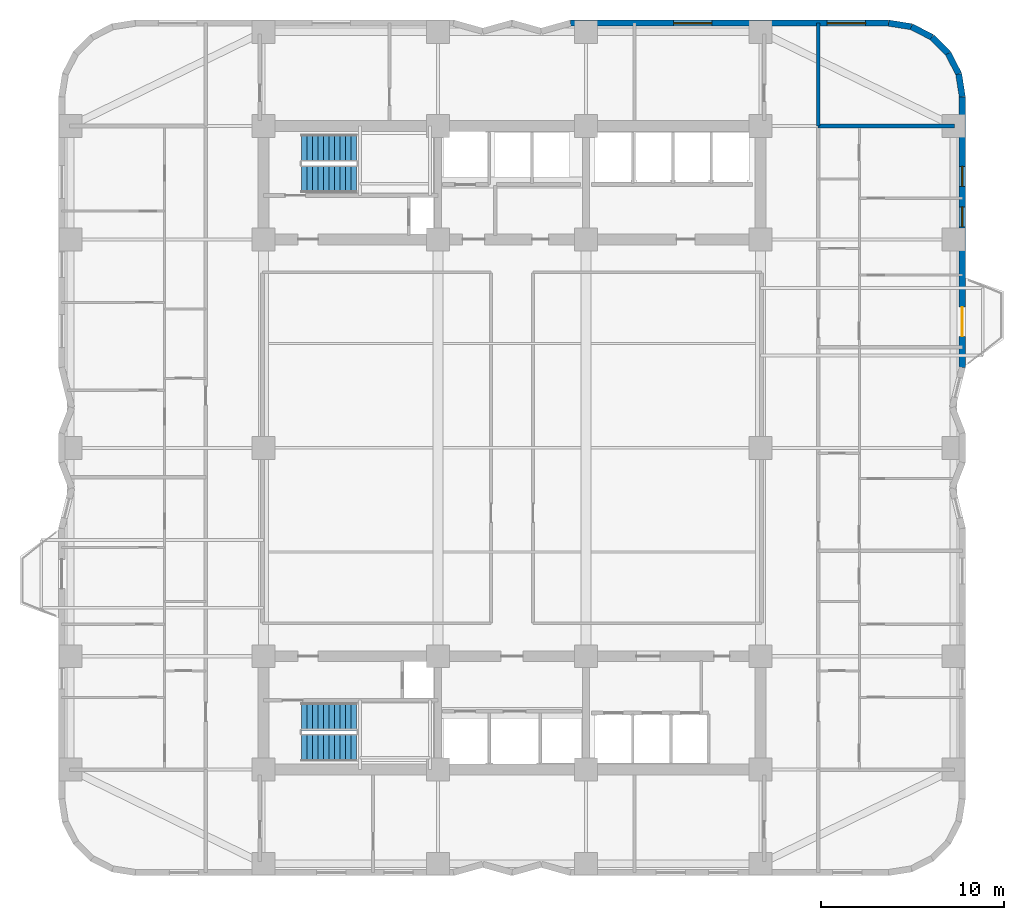
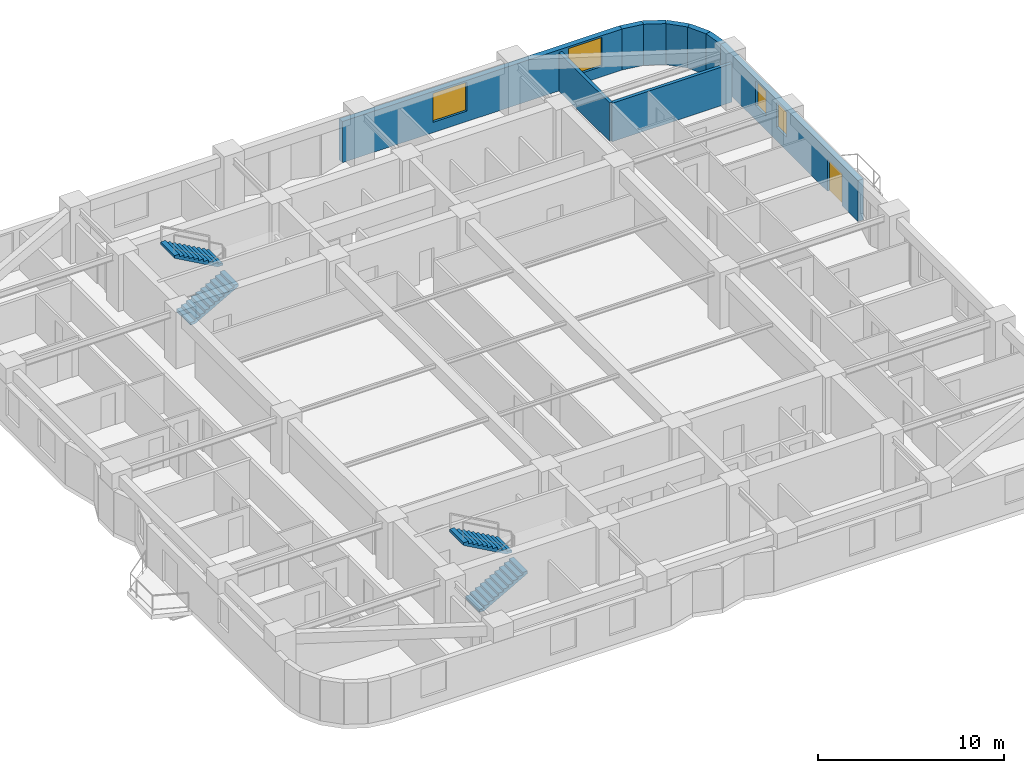
# One storey, part 7 of 9: 9 walls, 4 stair flights, 4 windows, 1 door, 5 openings, 2 elements without a shape of their own.
"""IFC4 building model written with IfcOpenShell, lengths in metres."""

from ifc_helpers import new_model, si_unit, direction, frame, frame_2d, origin, place, context, subcontext, project, spatial, polyline, rectangle, outline, extrude, material, layer, layer_set, type_object, element, fill, aggregate, save


model = new_model("IFC4")

# Units and contexts
model_context = context("Model", 3, precision=1e-05, world=origin(), true_north=direction((0.0, 1.0)))
body_context = subcontext(model_context, "Body", "Model", "MODEL_VIEW")
ifc_project = project(units=[si_unit("LENGTHUNIT", "METRE"), si_unit("AREAUNIT", "SQUARE_METRE"), si_unit("VOLUMEUNIT", "CUBIC_METRE"), si_unit("PLANEANGLEUNIT", "RADIAN"), si_unit("MASSUNIT", "GRAM", prefix="KILO")], contexts=[model_context])

# Site, building, storey
site_placement = place(None, origin())
site = spatial("IfcSite", under=ifc_project, at=site_placement, CompositionType="ELEMENT")
building_placement = place(site_placement, origin())
building = spatial("IfcBuilding", under=site, at=building_placement, Name="Svetorya Sky Lyceum", CompositionType="ELEMENT")
storey_placement = place(building_placement, frame((0.0, 0.0, 28.800048828125)))
storey = spatial("IfcBuildingStorey", under=building, at=storey_placement, Name="L06", CompositionType="ELEMENT", Elevation=28.800048828125)

# Wall, openings, door, windows
ifc_material_1 = material(Name="Putilovo limestone rainscreen on autoclaved cellular masonry", Category="masonry")
ifc_layer_1 = layer(ifc_material_1, 0.340087890625)
ifc_layer_set_1 = layer_set([ifc_layer_1], Name="Putilovo limestone rainscreen on autoclaved cellular masonry")
wall_type_1 = type_object("IfcWallType", Name="WL-EXT-340", PredefinedType="SOLIDWALL", material=ifc_layer_set_1)
wall_1_placement = place(storey_placement, frame((63.830078125, 32.60009765625, 0.0), z_axis=(0.0, 0.0, 1.0), x_axis=(0.0, 1.0, 0.0)))
wall_1 = element("IfcWall", 1, at=wall_1_placement, inside=storey, type_object=wall_type_1, Name="L06 Limestone Exterior Wall 23M", PredefinedType="SOLIDWALL", context=body_context, shape_type="SweptSolid", body=[
    extrude(rectangle(XDim=14.7998046875, YDim=0.340087890625, at=frame_2d((7.39990234375, 0.0))), origin(), (0.0, 0.0, 1.0), 2.699951171875),
])
opening_1_placement = place(wall_1_placement, frame((1.699951171875, 0.0, 0.0)))
opening_1 = element("IfcOpeningElement", 2, at=opening_1_placement, cuts=wall_1, Name="Opening D-BL1", PredefinedType="OPENING", context=body_context, shape_type="SweptSolid", body=[
    extrude(rectangle(XDim=1.60009765625, YDim=2.10009765625, at=frame_2d((0.800048828125, 1.050048828125))), frame((0.0, 0.179931640625, 0.0), z_axis=(0.0, -1.0, 0.0), x_axis=(1.0, 0.0, 0.0)), (0.0, 0.0, 1.0), 0.360107421875),
])
opening_2_placement = place(wall_1_placement, frame((7.679931640625, 0.0, 0.889892578125)))
opening_2 = element("IfcOpeningElement", 3, at=opening_2_placement, cuts=wall_1, Name="Opening W-R3", PredefinedType="OPENING", context=body_context, shape_type="SweptSolid", body=[
    extrude(rectangle(XDim=1.10009765625, YDim=1.64990234375, at=frame_2d((0.550048828125, 0.824951171875))), frame((0.0, 0.179931640625, 0.0), z_axis=(0.0, -1.0, 0.0), x_axis=(1.0, 0.0, 0.0)), (0.0, 0.0, 1.0), 0.360107421875),
])
opening_3_placement = place(wall_1_placement, frame((9.89990234375, 0.0, 0.929931640625)))
opening_3 = element("IfcOpeningElement", 4, at=opening_3_placement, cuts=wall_1, Name="Opening W-R3", PredefinedType="OPENING", context=body_context, shape_type="SweptSolid", body=[
    extrude(rectangle(XDim=1.10009765625, YDim=1.64990234375, at=frame_2d((0.550048828125, 0.824951171875))), frame((0.0, 0.179931640625, 0.0), z_axis=(0.0, -1.0, 0.0), x_axis=(1.0, 0.0, 0.0)), (0.0, 0.0, 1.0), 0.360107421875),
])
ifc_material_2 = material(Name="Insulated glazed aluminium balcony door", Category="aluminium")
door_type = type_object("IfcDoorType", Name="DR-BAL-1600", OperationType="DOUBLE_DOOR_SINGLE_SWING", PredefinedType="DOOR", material=ifc_material_2)
door_placement = place(opening_1_placement, origin())
door = element("IfcDoor", 5, at=door_placement, inside=storey, type_object=door_type, Name="L06 Balcony BAL-E1 Door", OperationType="DOUBLE_DOOR_SINGLE_SWING", OverallHeight=2.10009765625, OverallWidth=1.60009765625, PredefinedType="DOOR", context=body_context, shape_type="SweptSolid", body=[
    extrude(rectangle(XDim=1.60009765625, YDim=2.10009765625, at=frame_2d((0.800048828125, 1.050048828125))), frame((0.0, 0.02490234375, 0.0), z_axis=(0.0, -1.0, 0.0), x_axis=(1.0, 0.0, 0.0)), (0.0, 0.0, 1.0), 0.050048828125),
])
fill(opening_1, door)
ifc_material_3 = material(Name="Thermally broken aluminium frame with triple low-E glazing", Category="aluminium")
window_type_1 = type_object("IfcWindowType", Name="WN-RES-110", PartitioningType="SINGLE_PANEL", PredefinedType="WINDOW", material=ifc_material_3)
window_1_placement = place(opening_2_placement, origin())
window_1 = element("IfcWindow", 6, at=window_1_placement, inside=storey, type_object=window_type_1, Name="L06 Facade Window W-R3.23M.2", OverallHeight=1.64990234375, OverallWidth=1.10009765625, PartitioningType="SINGLE_PANEL", PredefinedType="WINDOW", context=body_context, shape_type="SweptSolid", body=[
    extrude(rectangle(XDim=1.10009765625, YDim=1.64990234375, at=frame_2d((0.550048828125, 0.824951171875))), frame((0.0, 0.030029296875, 0.0), z_axis=(0.0, -1.0, 0.0), x_axis=(1.0, 0.0, 0.0)), (0.0, 0.0, 1.0), 0.06005859375),
])
fill(opening_2, window_1)
window_2_placement = place(opening_3_placement, origin())
window_2 = element("IfcWindow", 7, at=window_2_placement, inside=storey, type_object=window_type_1, Name="L06 Facade Window W-R3.23M.1", OverallHeight=1.64990234375, OverallWidth=1.10009765625, PartitioningType="SINGLE_PANEL", PredefinedType="WINDOW", context=body_context, shape_type="SweptSolid", body=[
    extrude(rectangle(XDim=1.10009765625, YDim=1.64990234375, at=frame_2d((0.550048828125, 0.824951171875))), frame((0.0, 0.030029296875, 0.0), z_axis=(0.0, -1.0, 0.0), x_axis=(1.0, 0.0, 0.0)), (0.0, 0.0, 1.0), 0.06005859375),
])
fill(opening_3, window_2)

# Walls
for number, where, z_axis, x_axis, name in (
    (8, (63.830078125, 47.39990234375, 0.0), (0.0, 0.0, 1.0), (-0.15644975923, 0.987685918112, 0.0), "L06 Limestone Exterior Wall 24M"),
    (9, (63.6328125, 48.645263671875, 0.0), (0.0, 0.0, 1.0), (-0.454015689056, 0.890993689142, 0.0), "L06 Limestone Exterior Wall 25M"),
    (10, (63.060302734375, 49.768798828125, 0.0), (0.0, 0.0, 1.0), (-0.707106781187, 0.707106781187, 0.0), "L06 Limestone Exterior Wall 26M"),
):
    element("IfcWall", number, at=place(storey_placement, frame(where, z_axis=z_axis, x_axis=x_axis)), inside=storey, type_object=wall_type_1, Name=name, PredefinedType="SOLIDWALL", context=body_context, shape_type="SweptSolid", body=[
        extrude(rectangle(XDim=1.260986328125, YDim=0.340087890625, at=frame_2d((0.63037109375, 0.0))), origin(), (0.0, 0.0, 1.0), 2.699951171875),
    ])
for number, where, z_axis, x_axis, name in (
    (11, (62.168701171875, 50.660400390625, 0.0), (0.0, 0.0, 1.0), (-0.890953769915, 0.454094020963, 0.0), "L06 Limestone Exterior Wall 27M"),
    (12, (61.04541015625, 51.23291015625, 0.0), (0.0, 0.0, 1.0), (-0.98771582066, 0.156260864002, 0.0), "L06 Limestone Exterior Wall 28M"),
):
    element("IfcWall", number, at=place(storey_placement, frame(where, z_axis=z_axis, x_axis=x_axis)), inside=storey, type_object=wall_type_1, Name=name, PredefinedType="SOLIDWALL", context=body_context, shape_type="SweptSolid", body=[
        extrude(rectangle(XDim=1.2607421875, YDim=0.340087890625, at=frame_2d((0.63037109375, 0.0))), origin(), (0.0, 0.0, 1.0), 2.699951171875),
    ])

# Wall, openings, windows
wall_2_placement = place(storey_placement, frame((59.800048828125, 51.429931640625, 0.0), z_axis=(0.0, 0.0, 1.0), x_axis=(-1.0, 0.0, 0.0)))
wall_2 = element("IfcWall", 13, at=wall_2_placement, inside=storey, type_object=wall_type_1, Name="L06 Limestone Exterior Wall 29M", PredefinedType="SOLIDWALL", context=body_context, shape_type="SweptSolid", body=[
    extrude(rectangle(XDim=17.400146484375, YDim=0.340087890625, at=frame_2d((8.7001953125, 0.0))), origin(), (0.0, 0.0, 1.0), 2.699951171875),
])
opening_4_placement = place(wall_2_placement, frame((1.262451171875, 0.0, 0.679931640625)))
opening_4 = element("IfcOpeningElement", 14, at=opening_4_placement, cuts=wall_2, Name="Opening W-R0", PredefinedType="OPENING", context=body_context, shape_type="SweptSolid", body=[
    extrude(rectangle(XDim=2.10009765625, YDim=1.89990234375, at=frame_2d((1.050048828125, 0.949951171875))), frame((0.0, 0.179931640625, 0.0), z_axis=(0.0, -1.0, 0.0), x_axis=(1.0, 0.0, 0.0)), (0.0, 0.0, 1.0), 0.360107421875),
])
opening_5_placement = place(wall_2_placement, frame((9.66259765625, 0.0, 0.679931640625)))
opening_5 = element("IfcOpeningElement", 15, at=opening_5_placement, cuts=wall_2, Name="Opening W-R0", PredefinedType="OPENING", context=body_context, shape_type="SweptSolid", body=[
    extrude(rectangle(XDim=2.10009765625, YDim=1.89990234375, at=frame_2d((1.050048828125, 0.949951171875))), frame((0.0, 0.179931640625, 0.0), z_axis=(0.0, -1.0, 0.0), x_axis=(1.0, 0.0, 0.0)), (0.0, 0.0, 1.0), 0.360107421875),
])
window_type_2 = type_object("IfcWindowType", Name="WN-RES-210", PartitioningType="TRIPLE_PANEL_VERTICAL", PredefinedType="WINDOW", material=ifc_material_3)
window_3_placement = place(opening_4_placement, origin())
window_3 = element("IfcWindow", 16, at=window_3_placement, inside=storey, type_object=window_type_2, Name="L06 Facade Window W-R0.29M.1", OverallHeight=1.89990234375, OverallWidth=2.10009765625, PartitioningType="SINGLE_PANEL", PredefinedType="WINDOW", context=body_context, shape_type="SweptSolid", body=[
    extrude(rectangle(XDim=2.10009765625, YDim=1.89990234375, at=frame_2d((1.050048828125, 0.949951171875))), frame((0.0, 0.030029296875, 0.0), z_axis=(0.0, -1.0, 0.0), x_axis=(1.0, 0.0, 0.0)), (0.0, 0.0, 1.0), 0.06005859375),
])
fill(opening_4, window_3)
window_4_placement = place(opening_5_placement, origin())
window_4 = element("IfcWindow", 17, at=window_4_placement, inside=storey, type_object=window_type_2, Name="L06 Facade Window W-R0.29M.2", OverallHeight=1.89990234375, OverallWidth=2.10009765625, PartitioningType="SINGLE_PANEL", PredefinedType="WINDOW", context=body_context, shape_type="SweptSolid", body=[
    extrude(rectangle(XDim=2.10009765625, YDim=1.89990234375, at=frame_2d((1.050048828125, 0.949951171875))), frame((0.0, 0.030029296875, 0.0), z_axis=(0.0, -1.0, 0.0), x_axis=(1.0, 0.0, 0.0)), (0.0, 0.0, 1.0), 0.06005859375),
])
fill(opening_5, window_4)

# Walls
ifc_material_4 = material(Name="Autoclaved cellular masonry blockwork with gypsum plaster", Category="masonry")
ifc_layer_2 = layer(ifc_material_4, 0.199951171875)
ifc_layer_set_2 = layer_set([ifc_layer_2], Name="Autoclaved cellular masonry blockwork with gypsum plaster")
wall_type_2 = type_object("IfcWallType", Name="WL-PART-200", PredefinedType="PARTITIONING", material=ifc_layer_set_2)
wall_3_placement = place(storey_placement, frame((55.949951171875, 45.800048828125, 0.0), z_axis=(0.0, 0.0, 1.0), x_axis=(1.0, 0.0, 0.0)))
element("IfcWall", 18, at=wall_3_placement, inside=storey, type_object=wall_type_2, Name="L06 Interior Partition E-CAP-N", PredefinedType="PARTITIONING", context=body_context, shape_type="SweptSolid", body=[
    extrude(rectangle(XDim=7.4599609375, YDim=0.199951171875, at=frame_2d((3.72998046875, 0.0))), origin(), (0.0, 0.0, 1.0), 2.530029296875),
])
wall_4_placement = place(storey_placement, frame((55.949951171875, 45.800048828125, 0.0), z_axis=(0.0, 0.0, 1.0), x_axis=(0.0, 1.0, 0.0)))
element("IfcWall", 19, at=wall_4_placement, inside=storey, type_object=wall_type_2, Name="L06 Interior Partition EC-NE-END", PredefinedType="PARTITIONING", context=body_context, shape_type="SweptSolid", body=[
    extrude(rectangle(XDim=5.6298828125, YDim=0.199951171875, at=frame_2d((2.81494140625, 0.0))), origin(), (0.0, 0.0, 1.0), 2.530029296875),
])

# Stair, stair flights
ifc_material_5 = material(Name="Concrete C40/50", Category="concrete")
stair_type_1 = type_object("IfcStairType", Name="STR-ST-N", PredefinedType="HALF_TURN_STAIR", material=ifc_material_5)
stair_1_placement = place(storey_placement, origin())
stair_1 = element("IfcStair", 20, at=stair_1_placement, inside=storey, type_object=stair_type_1, Name="L06 North Core Smoke-Free Exit Stair N3", PredefinedType="HALF_TURN_STAIR")
stair_flight_type_1 = type_object("IfcStairFlightType", Name="SFL-ST-N", PredefinedType="STRAIGHT", material=ifc_material_5)
stair_flight_1_placement = place(storey_placement, frame((27.699951171875, 42.89990234375, 0.0), z_axis=(0.0, 0.0, 1.0), x_axis=(1.0, 0.0, 0.0)))
stair_flight_1 = element("IfcStairFlight", 21, at=stair_flight_1_placement, type_object=stair_flight_type_1, Name="ST-N flight 1", NumberOfRisers=11, NumberOfTreads=10, PredefinedType="STRAIGHT", RiserHeight=0.168181818, TreadLength=0.3, context=body_context, shape_type="SweptSolid", body=[
    extrude(outline(polyline([(0.0, 0.0), (0.0, 0.168212890625), (0.300048828125, 0.168212890625), (0.300048828125, 0.33642578125), (0.60009765625, 0.33642578125), (0.60009765625, 0.504638671875), (0.89990234375, 0.504638671875), (0.89990234375, 0.672607421875), (1.199951171875, 0.672607421875), (1.199951171875, 0.8408203125), (1.5, 0.8408203125), (1.5, 1.009033203125), (1.800048828125, 1.009033203125), (1.800048828125, 1.17724609375), (2.10009765625, 1.17724609375), (2.10009765625, 1.345458984375), (2.39990234375, 1.345458984375), (2.39990234375, 1.513671875), (2.699951171875, 1.513671875), (2.699951171875, 1.681884765625), (3.0, 1.681884765625), (3.0, 1.85009765625), (3.0, 1.510009765625), (0.306640625, 0.0), (0.0, 0.0)])), frame((0.0, 0.75, 0.0), z_axis=(0.0, -1.0, 0.0), x_axis=(1.0, 0.0, 0.0)), (0.0, 0.0, 1.0), 1.5),
])
stair_flight_2_placement = place(storey_placement, frame((30.699951171875, 44.60009765625, 1.849853515625), z_axis=(0.0, 0.0, 1.0), x_axis=(-1.0, 0.0, 0.0)))
stair_flight_2 = element("IfcStairFlight", 22, at=stair_flight_2_placement, type_object=stair_flight_type_1, Name="ST-N flight 2", NumberOfRisers=11, NumberOfTreads=10, PredefinedType="STRAIGHT", RiserHeight=0.168181818, TreadLength=0.3, context=body_context, shape_type="SweptSolid", body=[
    extrude(outline(polyline([(0.0, 0.0), (0.0, 0.168212890625), (0.300048828125, 0.168212890625), (0.300048828125, 0.33642578125), (0.60009765625, 0.33642578125), (0.60009765625, 0.504638671875), (0.89990234375, 0.504638671875), (0.89990234375, 0.672607421875), (1.199951171875, 0.672607421875), (1.199951171875, 0.8408203125), (1.5, 0.8408203125), (1.5, 1.009033203125), (1.800048828125, 1.009033203125), (1.800048828125, 1.17724609375), (2.10009765625, 1.17724609375), (2.10009765625, 1.345458984375), (2.39990234375, 1.345458984375), (2.39990234375, 1.513671875), (2.699951171875, 1.513671875), (2.699951171875, 1.681884765625), (3.0, 1.681884765625), (3.0, 1.85009765625), (3.0, 1.510009765625), (0.306640625, 0.0), (0.0, 0.0)])), frame((0.0, 0.75, 0.0), z_axis=(0.0, -1.0, 0.0), x_axis=(1.0, 0.0, 0.0)), (0.0, 0.0, 1.0), 1.5),
])
aggregate(stair_1, [stair_flight_1, stair_flight_2])

stair_type_2 = type_object("IfcStairType", Name="STR-ST-S", PredefinedType="HALF_TURN_STAIR", material=ifc_material_5)
stair_2_placement = place(storey_placement, origin())
stair_2 = element("IfcStair", 23, at=stair_2_placement, inside=storey, type_object=stair_type_2, Name="L06 South Core Smoke-Free Exit Stair N2", PredefinedType="HALF_TURN_STAIR")
stair_flight_type_2 = type_object("IfcStairFlightType", Name="SFL-ST-S", PredefinedType="STRAIGHT", material=ifc_material_5)
stair_flight_3_placement = place(storey_placement, frame((27.699951171875, 11.800048828125, 0.0), z_axis=(0.0, 0.0, 1.0), x_axis=(1.0, 0.0, 0.0)))
stair_flight_3 = element("IfcStairFlight", 24, at=stair_flight_3_placement, type_object=stair_flight_type_2, Name="ST-S flight 1", NumberOfRisers=11, NumberOfTreads=10, PredefinedType="STRAIGHT", RiserHeight=0.168181818, TreadLength=0.3, context=body_context, shape_type="SweptSolid", body=[
    extrude(outline(polyline([(0.0, 0.0), (0.0, 0.168212890625), (0.300048828125, 0.168212890625), (0.300048828125, 0.33642578125), (0.60009765625, 0.33642578125), (0.60009765625, 0.504638671875), (0.89990234375, 0.504638671875), (0.89990234375, 0.672607421875), (1.199951171875, 0.672607421875), (1.199951171875, 0.8408203125), (1.5, 0.8408203125), (1.5, 1.009033203125), (1.800048828125, 1.009033203125), (1.800048828125, 1.17724609375), (2.10009765625, 1.17724609375), (2.10009765625, 1.345458984375), (2.39990234375, 1.345458984375), (2.39990234375, 1.513671875), (2.699951171875, 1.513671875), (2.699951171875, 1.681884765625), (3.0, 1.681884765625), (3.0, 1.85009765625), (3.0, 1.510009765625), (0.306640625, 0.0), (0.0, 0.0)])), frame((0.0, 0.75, 0.0), z_axis=(0.0, -1.0, 0.0), x_axis=(1.0, 0.0, 0.0)), (0.0, 0.0, 1.0), 1.5),
])
stair_flight_4_placement = place(storey_placement, frame((30.699951171875, 13.5, 1.849853515625), z_axis=(0.0, 0.0, 1.0), x_axis=(-1.0, 0.0, 0.0)))
stair_flight_4 = element("IfcStairFlight", 25, at=stair_flight_4_placement, type_object=stair_flight_type_2, Name="ST-S flight 2", NumberOfRisers=11, NumberOfTreads=10, PredefinedType="STRAIGHT", RiserHeight=0.168181818, TreadLength=0.3, context=body_context, shape_type="SweptSolid", body=[
    extrude(outline(polyline([(0.0, 0.0), (0.0, 0.168212890625), (0.300048828125, 0.168212890625), (0.300048828125, 0.33642578125), (0.60009765625, 0.33642578125), (0.60009765625, 0.504638671875), (0.89990234375, 0.504638671875), (0.89990234375, 0.672607421875), (1.199951171875, 0.672607421875), (1.199951171875, 0.8408203125), (1.5, 0.8408203125), (1.5, 1.009033203125), (1.800048828125, 1.009033203125), (1.800048828125, 1.17724609375), (2.10009765625, 1.17724609375), (2.10009765625, 1.345458984375), (2.39990234375, 1.345458984375), (2.39990234375, 1.513671875), (2.699951171875, 1.513671875), (2.699951171875, 1.681884765625), (3.0, 1.681884765625), (3.0, 1.85009765625), (3.0, 1.510009765625), (0.306640625, 0.0), (0.0, 0.0)])), frame((0.0, 0.75, 0.0), z_axis=(0.0, -1.0, 0.0), x_axis=(1.0, 0.0, 0.0)), (0.0, 0.0, 1.0), 1.5),
])
aggregate(stair_2, [stair_flight_3, stair_flight_4])

save(model, "model.ifc")
